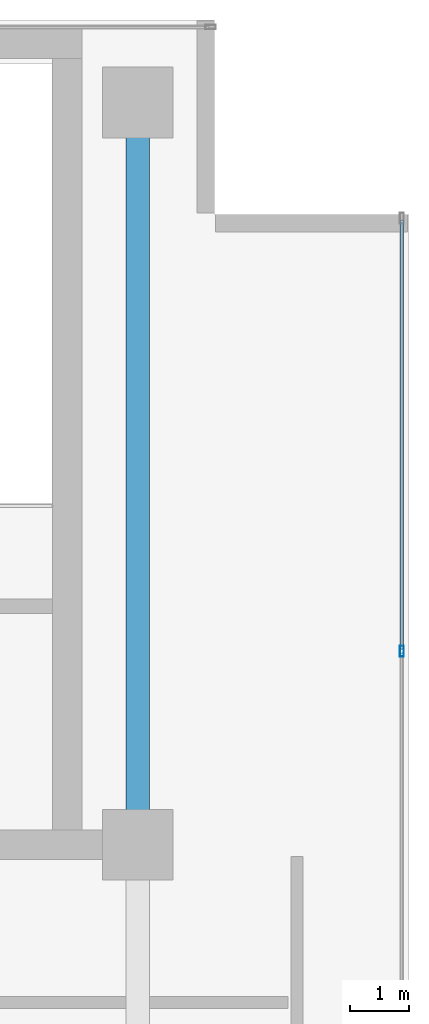
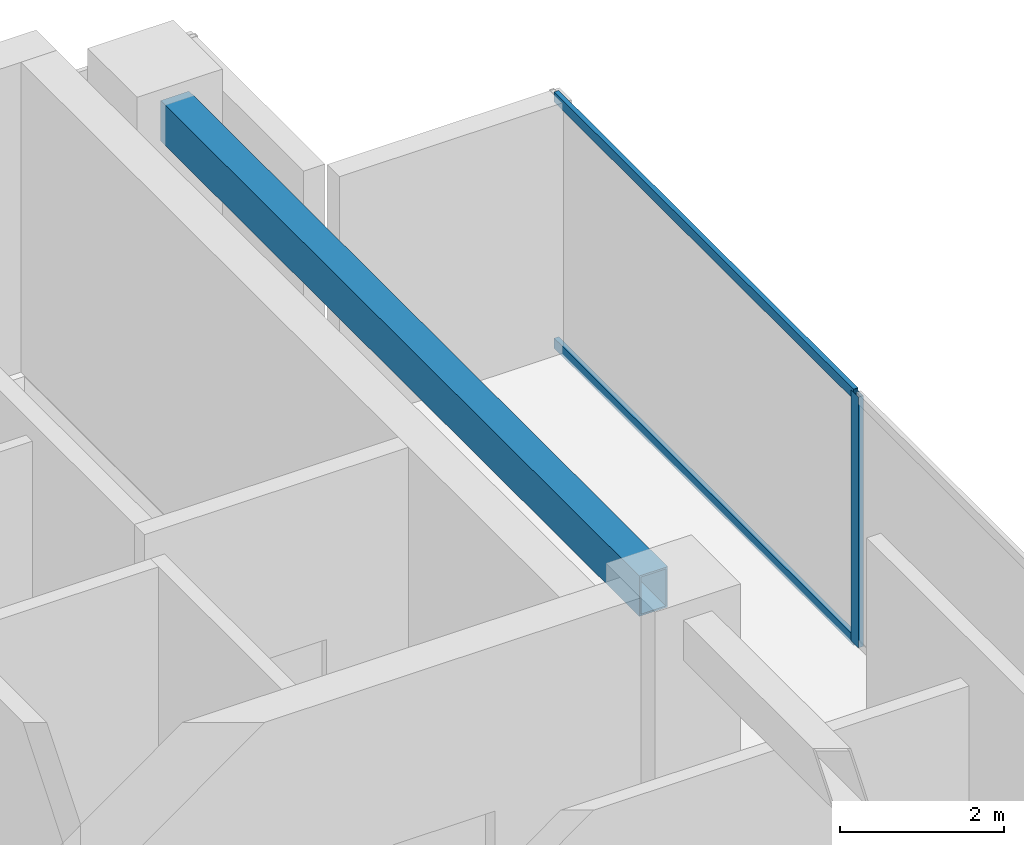
# One storey, part 11 of 19: 3 members, 1 beam, 1 element without a shape of its own.
"""IFC4 building model written with IfcOpenShell, lengths in metres."""

from ifc_helpers import new_model, si_unit, direction, frame, origin, origin_2d, place, context, subcontext, project, spatial, hollow_rectangle, extrude, source, transform, mapped, material, layer, layer_set, material_profile, profile_set, type_object, element, aggregate, save


model = new_model("IFC4")

# Units and contexts
model_context = context("Model", 3, precision=1e-05, world=origin(), true_north=direction((0.0, 1.0)))
body_context = subcontext(model_context, "Body", "Model", "MODEL_VIEW")
ifc_project = project(units=[si_unit("LENGTHUNIT", "METRE"), si_unit("AREAUNIT", "SQUARE_METRE"), si_unit("VOLUMEUNIT", "CUBIC_METRE"), si_unit("PLANEANGLEUNIT", "RADIAN"), si_unit("MASSUNIT", "GRAM", prefix="KILO")], contexts=[model_context])

# Site, building, storey
site_placement = place(None, origin())
site = spatial("IfcSite", under=ifc_project, at=site_placement, CompositionType="ELEMENT")
building_placement = place(site_placement, origin())
building = spatial("IfcBuilding", under=site, at=building_placement, Name="Sumidabori Civic Tower", CompositionType="ELEMENT")
storey_placement = place(building_placement, frame((0.0, 0.0, 293.60009765625)))
storey = spatial("IfcBuildingStorey", under=building, at=storey_placement, Name="L77", CompositionType="ELEMENT", Elevation=293.60009765625)

# Beam
ifc_material_1 = material(Name="Steel SN490", Category="steel")
ifc_material_profile_1 = material_profile(ifc_material_1, hollow_rectangle(XDim=0.39990234375, YDim=0.60009765625, WallThickness=0.02490234375, at=origin_2d()), Name="RHS 600x400x25")
ifc_profile_set_1 = profile_set([ifc_material_profile_1], Name="Steel SN490")
beam_type = type_object("IfcBeamType", Name="BM-CRN-RING", PredefinedType="BEAM", material=ifc_profile_set_1)
shared_shape_1 = source(origin(), body_context, "Body", "SweptSolid", [
    extrude(hollow_rectangle(XDim=0.39990234375, YDim=0.60009765625, WallThickness=0.02490234375, at=origin_2d()), origin(), (0.0, 0.0, 1.0), 11.64013671875),
])
beam_placement = place(storey_placement, frame((16.800048828125, 10.679931640625, 4.039794921875), z_axis=(0.0, 1.0, 0.0), x_axis=(-1.0, 0.0, 0.0)))
element("IfcBeam", 1, at=beam_placement, inside=storey, type_object=beam_type, Name="Crown Base Ring Beam BR-1-07", PredefinedType="BEAM", context=body_context, shape_type="MappedRepresentation", body=[
    mapped(shared_shape_1, transform((0.0, 0.0, 0.0), x_axis=(1.0, 0.0, 0.0), y_axis=(0.0, 1.0, 0.0), z_axis=(0.0, 0.0, 1.0), scale=1.0)),
])

# Curtain wall, members
ifc_material_2 = material(Name="Anodised Bronze Aluminium AW-6063-T6", Category="aluminium")
ifc_layer = layer(ifc_material_2, 0.179931640625, Name="Anodised Bronze Aluminium AW-6063-T6")
ifc_layer_set = layer_set([ifc_layer], Name="Anodised Bronze Aluminium AW-6063-T6")
curtain_wall_type = type_object("IfcCurtainWallType", Name="CW-SYS-6", PredefinedType="NOTDEFINED", material=ifc_layer_set)
curtain_wall_placement = place(storey_placement, origin())
curtain_wall = element("IfcCurtainWall", 2, at=curtain_wall_placement, inside=storey, type_object=curtain_wall_type, Name="Curtain Wall CW:L77:R04", PredefinedType="NOTDEFINED")
ifc_material_profile_2 = material_profile(ifc_material_2, hollow_rectangle(XDim=0.06494140625, YDim=0.14990234375, WallThickness=0.0048828125, at=origin_2d()), Name="ALU TRANSOM 150x65")
ifc_profile_set_2 = profile_set([ifc_material_profile_2], Name="Anodised Bronze Aluminium AW-6063-T6")
member_type_1 = type_object("IfcMemberType", Name="CW-TRN-150", PredefinedType="USERDEFINED", material=ifc_profile_set_2)
shared_shape_2 = source(origin(), body_context, "Body", "SweptSolid", [
    extrude(hollow_rectangle(XDim=0.06494140625, YDim=0.14990234375, WallThickness=0.0048828125, at=origin_2d()), origin(), (0.0, 0.0, 1.0), 7.280029296875),
])
member_1_placement = place(storey_placement, frame((21.280029296875, 13.52001953125, 0.032470703125), z_axis=(0.0, 1.0, 0.0), x_axis=(-1.0, 0.0, 0.0)))
member_1 = element("IfcMember", 3, at=member_1_placement, type_object=member_type_1, Name="CW-6 transom 4.1", ObjectType="TRANSOM", PredefinedType="USERDEFINED", context=body_context, shape_type="MappedRepresentation", body=[
    mapped(shared_shape_2, transform((0.0, 0.0, 0.0), x_axis=(1.0, 0.0, 0.0), y_axis=(0.0, 1.0, 0.0), z_axis=(0.0, 0.0, 1.0), scale=1.0)),
])
member_2_placement = place(storey_placement, frame((21.280029296875, 13.52001953125, 3.6875), z_axis=(0.0, 1.0, 0.0), x_axis=(-1.0, 0.0, 0.0)))
member_2 = element("IfcMember", 4, at=member_2_placement, type_object=member_type_1, Name="CW-6 transom 4.2", ObjectType="TRANSOM", PredefinedType="USERDEFINED", context=body_context, shape_type="MappedRepresentation", body=[
    mapped(shared_shape_2, transform((0.0, 0.0, 0.0), x_axis=(1.0, 0.0, 0.0), y_axis=(0.0, 1.0, 0.0), z_axis=(0.0, 0.0, 1.0), scale=1.0)),
])
ifc_material_profile_3 = material_profile(ifc_material_2, hollow_rectangle(XDim=0.070068359375, YDim=0.179931640625, WallThickness=0.006103515625, at=origin_2d()), Name="ALU MULLION 180x70")
ifc_profile_set_3 = profile_set([ifc_material_profile_3], Name="Anodised Bronze Aluminium AW-6063-T6")
member_type_2 = type_object("IfcMemberType", Name="CW-MUL-180", PredefinedType="MULLION", material=ifc_profile_set_3)
shared_shape_3 = source(origin(), body_context, "Body", "SweptSolid", [
    extrude(hollow_rectangle(XDim=0.070068359375, YDim=0.179931640625, WallThickness=0.006103515625, at=origin_2d()), origin(), (0.0, 0.0, 1.0), 3.719970703125),
])
member_3_placement = place(storey_placement, frame((21.280029296875, 13.485107421875, 0.0), z_axis=(0.0, 0.0, 1.0), x_axis=(-1.0, 0.0, 0.0)))
member_3 = element("IfcMember", 5, at=member_3_placement, type_object=member_type_2, Name="CW-6 mullion 4", PredefinedType="MULLION", context=body_context, shape_type="MappedRepresentation", body=[
    mapped(shared_shape_3, transform((0.0, 0.0, 0.0), x_axis=(1.0, 0.0, 0.0), y_axis=(0.0, 1.0, 0.0), z_axis=(0.0, 0.0, 1.0), scale=1.0)),
])
aggregate(curtain_wall, [member_3, member_1, member_2])

save(model, "model.ifc")
